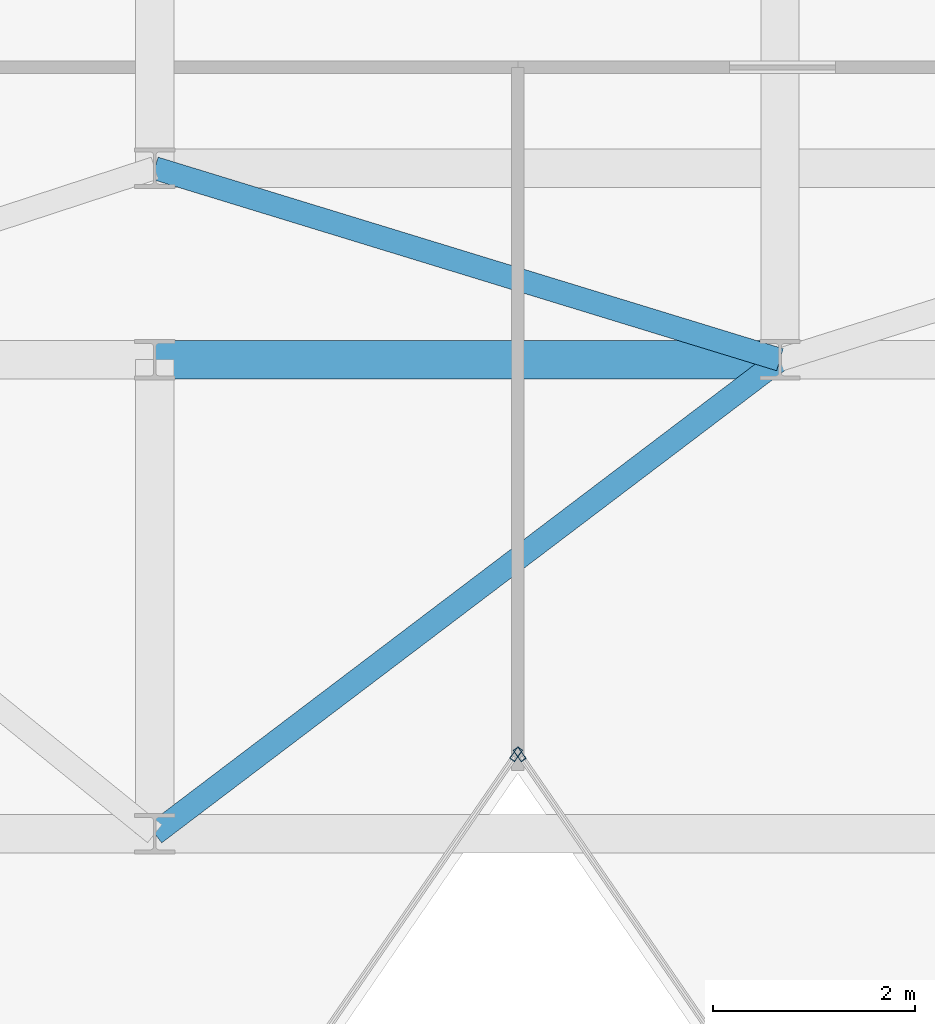
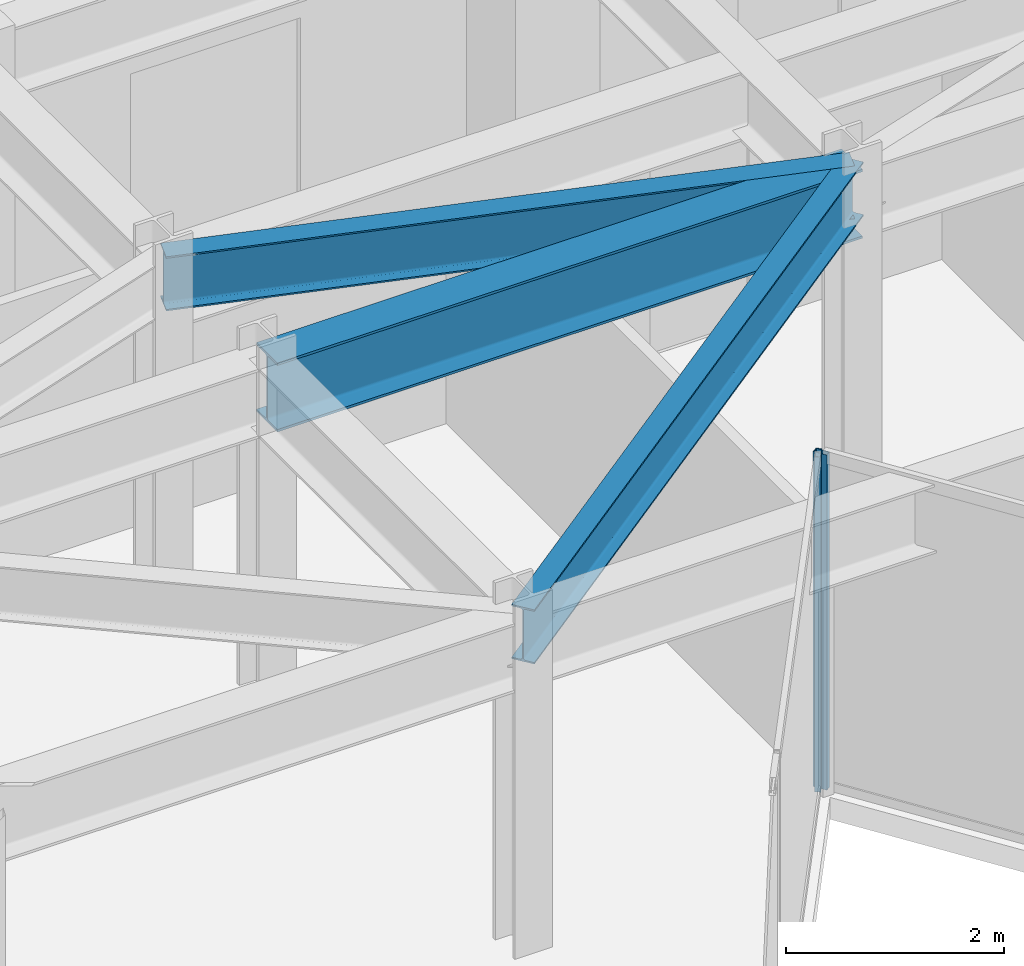
# One storey, part 8 of 21: 3 beams, 2 members, 2 elements without a shape of their own.
"""IFC4 building model written with IfcOpenShell, lengths in metres."""

import ifcopenshell
import ifcopenshell.guid

model = None  # the IFC model being written
_history = None  # IfcOwnerHistory: only IFC2X3 demands one
_inside = {}  # id of a spatial element -> (the spatial element, [elements in it])
_under = {}  # id of a project, library or spatial element -> (it, [spatial elements below it])
_declared = {}  # id of a project -> (the project, [libraries it declares])
_typed = {}  # id of a type object -> (the type object, [elements of that type])
_made_of = {}  # id of a material, layer set ... -> (it, [elements and type objects made of it])


def new_model(schema):
    """Start an empty IFC model of exactly this schema.

    Asked for "IFC4X3", IfcOpenShell would pick the latest addendum, in which some entities
    have other attributes; the version numbers below select the first issue.
    IFC2X3 requires an IfcOwnerHistory on every rooted entity: one is made here for all.
    """
    global model, _history
    if schema == "IFC4X3":
        model = ifcopenshell.file(schema_version=(4, 3, 0, 0))
    else:
        model = ifcopenshell.file(schema=schema)
    _inside.clear()
    _under.clear()
    _declared.clear()
    _typed.clear()
    _made_of.clear()
    _history = None
    if model.schema == "IFC2X3":
        org = make("IfcOrganization", Name="unknown")
        user = make(
            "IfcPersonAndOrganization",
            ThePerson=make("IfcPerson", FamilyName="unknown"),
            TheOrganization=org,
        )
        app = make(
            "IfcApplication",
            ApplicationDeveloper=org,
            Version="unknown",
            ApplicationFullName="unknown",
            ApplicationIdentifier="unknown",
        )
        _history = make(
            "IfcOwnerHistory",
            OwningUser=user,
            OwningApplication=app,
            ChangeAction="ADDED",
            CreationDate=0,
        )
    return model


def make(cls, **values):
    """One entity of the class cls with the attributes given. An attribute that is None is left unset."""
    return model.create_entity(
        cls, **{name: value for name, value in values.items() if value is not None}
    )


def rooted(cls, **values):
    """An entity with a GlobalId (a new one), such as an element, a storey or a relation."""
    return make(cls, GlobalId=ifcopenshell.guid.new(), OwnerHistory=_history, **values)


def si_unit(unit_type, name, prefix=None):
    """IfcSIUnit, for example si_unit("LENGTHUNIT", "METRE", prefix="MILLI")."""
    return make("IfcSIUnit", UnitType=unit_type, Prefix=prefix, Name=name)


def assignment(units):
    """IfcUnitAssignment: the units of a project."""
    return None if units is None else make("IfcUnitAssignment", Units=units)


def point(xyz):
    """IfcCartesianPoint."""
    return None if xyz is None else make("IfcCartesianPoint", Coordinates=xyz)


def direction(xyz):
    """IfcDirection."""
    return None if xyz is None else make("IfcDirection", DirectionRatios=xyz)


def frame(location, z_axis=None, x_axis=None):
    """IfcAxis2Placement3D, a coordinate frame: its origin and axes. An axis left out is left unset."""
    return make(
        "IfcAxis2Placement3D",
        Location=point(location),
        Axis=direction(z_axis),
        RefDirection=direction(x_axis),
    )


def frame_2d(location, x_axis=None):
    """IfcAxis2Placement2D, a coordinate frame in the plane: its origin and x axis."""
    return make(
        "IfcAxis2Placement2D", Location=point(location), RefDirection=direction(x_axis)
    )


def origin():
    """The frame at (0, 0, 0) with its axes left unset."""
    return frame((0.0, 0.0, 0.0))


def origin_2d():
    """The frame at (0, 0) in the plane with its x axis left unset."""
    return frame_2d((0.0, 0.0))


def place(relative_to, where):
    """IfcLocalPlacement: puts the frame where relative to a parent placement (None: the world)."""
    return make(
        "IfcLocalPlacement", PlacementRelTo=relative_to, RelativePlacement=where
    )


def context(
    kind, dimensions, precision=None, world=None, true_north=None, identifier=None
):
    """IfcGeometricRepresentationContext, for example the 3D "Model" context."""
    return make(
        "IfcGeometricRepresentationContext",
        ContextIdentifier=identifier,
        ContextType=kind,
        CoordinateSpaceDimension=dimensions,
        Precision=precision,
        WorldCoordinateSystem=world,
        TrueNorth=true_north,
    )


def subcontext(parent, identifier, kind, view, scale=None):
    """IfcGeometricRepresentationSubContext, for example "Body" below "Model"."""
    return make(
        "IfcGeometricRepresentationSubContext",
        ContextIdentifier=identifier,
        ContextType=kind,
        ParentContext=parent,
        TargetScale=scale,
        TargetView=view,
    )


def project(units=None, contexts=None):
    """IfcProject with its units and contexts."""
    return rooted(
        "IfcProject",
        Name="project",
        RepresentationContexts=contexts,
        UnitsInContext=assignment(units),
    )


def spatial(cls, under=None, at=None, **own):
    """A site, building, storey or space (cls), placed at a placement, below another one or the project."""
    s = rooted(cls, ObjectPlacement=at, **own)
    if under is not None:
        _under.setdefault(under.id(), (under, []))[1].append(s)
    return s


def profile(cls, at=None, kind="AREA", **sizes):
    """A parametric profile (cls). Its sizes go by their IFC names, for example OverallWidth=200.0."""
    return make(cls, ProfileType=kind, Position=at, **sizes)


def hollow_rectangle(**sizes):
    """IfcRectangleHollowProfileDef."""
    return profile("IfcRectangleHollowProfileDef", **sizes)


def i_section(**sizes):
    """IfcIShapeProfileDef."""
    return profile("IfcIShapeProfileDef", **sizes)


def extrude(swept, where, along, depth):
    """IfcExtrudedAreaSolid: the profile swept, set in the frame where, extruded along a direction by depth."""
    return make(
        "IfcExtrudedAreaSolid",
        SweptArea=swept,
        Position=where,
        ExtrudedDirection=direction(along),
        Depth=depth,
    )


def shape(context_of_items, identifier, shape_type, items):
    """IfcShapeRepresentation: the items that make up one representation, for example the "Body"."""
    return make(
        "IfcShapeRepresentation",
        ContextOfItems=context_of_items,
        RepresentationIdentifier=identifier,
        RepresentationType=shape_type,
        Items=items,
    )


def material(Name=None, Category=None):
    """IfcMaterial."""
    return make("IfcMaterial", Name=Name, Category=Category)


def layer(
    of_material, thickness, ventilated=None, Name=None, Category=None, Priority=None
):
    """IfcMaterialLayer: one layer of a wall or slab, of a material (None: an air gap)."""
    return make(
        "IfcMaterialLayer",
        Material=of_material,
        LayerThickness=thickness,
        IsVentilated=ventilated,
        Name=Name,
        Category=Category,
        Priority=Priority,
    )


def layer_set(layers, Name=None):
    """IfcMaterialLayerSet."""
    return make("IfcMaterialLayerSet", MaterialLayers=layers, LayerSetName=Name)


def material_profile(
    of_material, cross_section, Name=None, Category=None, Priority=None
):
    """IfcMaterialProfile: a cross section and its material."""
    return make(
        "IfcMaterialProfile",
        Name=Name,
        Material=of_material,
        Profile=cross_section,
        Priority=Priority,
        Category=Category,
    )


def profile_set(profiles, Name=None, composite=None):
    """IfcMaterialProfileSet."""
    return make(
        "IfcMaterialProfileSet",
        Name=Name,
        MaterialProfiles=profiles,
        CompositeProfile=composite,
    )


def made_of(thing, what):
    """Note that an element or type object is made of a material, layer set ...; save() writes the relation."""
    if what is not None:
        _made_of.setdefault(what.id(), (what, []))[1].append(thing)
    return thing


def type_object(cls, material=None, **own):
    """A type object (cls), such as IfcWallType, which elements share."""
    return made_of(rooted(cls, **own), material)


def element(
    cls,
    number,
    at=None,
    inside=None,
    cuts=None,
    type_object=None,
    material=None,
    context=None,
    identifier="Body",
    shape_type=None,
    held_by="IfcProductDefinitionShape",
    body=None,
    shapes=None,
    **own,
):
    """One element of the class cls, such as IfcWall. Its Tag is "e" and its number.

    at: its placement. inside: the storey or other place that contains it. cuts: it is an
    opening in that element (IfcRelVoidsElement). A single representation is given by context,
    identifier, shape_type and body (its items); several are given by shapes. held_by: the class
    of the entity that holds the representations. save() writes the other relations.
    """
    e = rooted(cls, Tag="e%d" % number, ObjectPlacement=at, **own)
    if body is not None:
        shapes = [shape(context, identifier, shape_type, body)]
    if shapes is not None:
        e.Representation = make(held_by, Representations=shapes)
    if inside is not None:
        _inside.setdefault(inside.id(), (inside, []))[1].append(e)
    if cuts is not None:
        rooted(
            "IfcRelVoidsElement", RelatingBuildingElement=cuts, RelatedOpeningElement=e
        )
    if type_object is not None:
        _typed.setdefault(type_object.id(), (type_object, []))[1].append(e)
    return made_of(e, material)


def aggregate(whole, parts):
    """IfcRelAggregates: a whole, such as a stair, and the parts it consists of."""
    return rooted("IfcRelAggregates", RelatingObject=whole, RelatedObjects=parts)


def save(model, path):
    """Write the relations noted so far, then the file.

    IfcRelAggregates (storeys below a building ...), IfcRelContainedInSpatialStructure (elements
    in a storey), IfcRelDefinesByType, IfcRelAssociatesMaterial and IfcRelDeclares: one each for
    every whole, place, type object, material and project.
    """
    for whole, parts in _under.values():
        aggregate(whole, parts)
    for where, things in _inside.values():
        rooted(
            "IfcRelContainedInSpatialStructure",
            RelatedElements=things,
            RelatingStructure=where,
        )
    for kind, things in _typed.values():
        rooted("IfcRelDefinesByType", RelatedObjects=things, RelatingType=kind)
    for what, things in _made_of.values():
        rooted("IfcRelAssociatesMaterial", RelatedObjects=things, RelatingMaterial=what)
    for by, libraries in _declared.values():
        rooted("IfcRelDeclares", RelatingContext=by, RelatedDefinitions=libraries)
    model.write(path)


model = new_model("IFC4")

# Units and contexts
model_context = context("Model", 3, precision=1e-05, world=origin(), true_north=direction((0.0, 1.0)))
body_context = subcontext(model_context, "Body", "Model", "MODEL_VIEW")
ifc_project = project(units=[si_unit("LENGTHUNIT", "METRE"), si_unit("AREAUNIT", "SQUARE_METRE"), si_unit("VOLUMEUNIT", "CUBIC_METRE"), si_unit("PLANEANGLEUNIT", "RADIAN"), si_unit("MASSUNIT", "GRAM", prefix="KILO")], contexts=[model_context])

# Site, building, storey
site_placement = place(None, origin())
site = spatial("IfcSite", under=ifc_project, at=site_placement, CompositionType="ELEMENT")
building_placement = place(site_placement, origin())
building = spatial("IfcBuilding", under=site, at=building_placement, Name="Kravanh Interchange Tower", CompositionType="ELEMENT")
storey_placement = place(building_placement, frame((0.0, 0.0, 200.5)))
storey = spatial("IfcBuildingStorey", under=building, at=storey_placement, Name="L48", CompositionType="ELEMENT", Elevation=200.5)

# Curtain wall, member
ifc_material_1 = material(Name="Anodised Bronze Aluminium", Category="aluminium")
ifc_layer = layer(ifc_material_1, 0.179931640625)
ifc_layer_set = layer_set([ifc_layer], Name="Unitised Curtain Wall System CW-Z3 Upper Office")
curtain_wall_type = type_object("IfcCurtainWallType", Name="Unitised Curtain Wall System CW-Z3 Upper Office", PredefinedType="NOTDEFINED", material=ifc_layer_set)
curtain_wall_1_placement = place(storey_placement, origin())
curtain_wall_1 = element("IfcCurtainWall", 1, at=curtain_wall_1_placement, inside=storey, type_object=curtain_wall_type, Name="L48 Unitised Curtain Wall CW-L48-03", PredefinedType="NOTDEFINED")
ifc_material_2 = material(Name="Anodised Bronze Aluminium", Category="aluminium")
ifc_material_profile_1 = material_profile(ifc_material_2, hollow_rectangle(XDim=0.06005859375, YDim=0.139892578125, WallThickness=0.00390625, at=origin_2d()), Name="ALU60X140X4")
ifc_profile_set_1 = profile_set([ifc_material_profile_1], Name="Anodised Bronze Aluminium")
member_type = type_object("IfcMemberType", Name="Curtain Wall Mullion ALU60X140X4 Bronze", PredefinedType="MULLION", material=ifc_profile_set_1)
member_1_placement = place(storey_placement, frame((42.217041015625, 27.587158203125, 0.0), z_axis=(0.0, 0.0, 1.0), x_axis=(-0.824042223035, -0.566528388217, 0.0)))
member_1 = element("IfcMember", 2, at=member_1_placement, type_object=member_type, Name="CW-Z3 mullion 5", PredefinedType="MULLION", context=body_context, shape_type="SweptSolid", body=[
    extrude(hollow_rectangle(XDim=0.06005859375, YDim=0.139892578125, WallThickness=0.00390625, at=origin_2d()), origin(), (0.0, 0.0, 1.0), 3.7548828125),
])
aggregate(curtain_wall_1, [member_1])

curtain_wall_2_placement = place(storey_placement, origin())
curtain_wall_2 = element("IfcCurtainWall", 3, at=curtain_wall_2_placement, inside=storey, type_object=curtain_wall_type, Name="L48 Unitised Curtain Wall CW-L48-04", PredefinedType="NOTDEFINED")
member_2_placement = place(storey_placement, frame((42.18310546875, 27.587158203125, 0.0), z_axis=(0.0, 0.0, 1.0), x_axis=(0.824042223035, -0.566528388217, 0.0)))
member_2 = element("IfcMember", 4, at=member_2_placement, type_object=member_type, Name="CW-Z3 mullion 1", PredefinedType="MULLION", context=body_context, shape_type="SweptSolid", body=[
    extrude(hollow_rectangle(XDim=0.06005859375, YDim=0.139892578125, WallThickness=0.00390625, at=origin_2d()), origin(), (0.0, 0.0, 1.0), 3.7548828125),
])
aggregate(curtain_wall_2, [member_2])

# Beams
ifc_material_3 = material(Name="Structural Steel S355", Category="steel")
ifc_material_profile_2 = material_profile(ifc_material_3, i_section(OverallWidth=0.381103515625, OverallDepth=0.77294921875, WebThickness=0.0166015625, FlangeThickness=0.027099609375, FilletRadius=0.02490234375, at=origin_2d()), Name="W30X173")
ifc_profile_set_2 = profile_set([ifc_material_profile_2], Name="Structural Steel S355")
beam_type_1 = type_object("IfcBeamType", Name="Floor Beam W30X173 Structural Steel S355", PredefinedType="BEAM", material=ifc_profile_set_2)
beam_1_placement = place(storey_placement, frame((38.60009765625, 31.5, 3.368408203125), z_axis=(1.0, 0.0, 0.0), x_axis=(0.0, 1.0, 0.0)))
element("IfcBeam", 5, at=beam_1_placement, inside=storey, type_object=beam_type_1, Name="L48 Primary Floor Girder 72", PredefinedType="BEAM", context=body_context, shape_type="SweptSolid", body=[
    extrude(i_section(OverallWidth=0.381103515625, OverallDepth=0.77294921875, WebThickness=0.0166015625, FlangeThickness=0.027099609375, FilletRadius=0.02490234375, at=origin_2d()), origin(), (0.0, 0.0, 1.0), 6.199951171875),
])
ifc_material_4 = material(Name="Structural Steel S355", Category="steel")
ifc_material_profile_3 = material_profile(ifc_material_4, i_section(OverallWidth=0.22802734375, OverallDepth=0.60791015625, WebThickness=0.01123046875, FlangeThickness=0.017333984375, FilletRadius=0.02197265625, at=origin_2d()), Name="W24X76")
ifc_profile_set_3 = profile_set([ifc_material_profile_3], Name="Structural Steel S355")
beam_type_2 = type_object("IfcBeamType", Name="Floor Spandrel W24X76 Structural Steel S355", PredefinedType="SPANDREL", material=ifc_profile_set_3)
beam_2_placement = place(storey_placement, frame((38.60009765625, 26.800048828125, 3.450927734375), z_axis=(0.796905365509, 0.604104161898, 0.0), x_axis=(-0.604104161898, 0.796905365509, 0.0)))
element("IfcBeam", 6, at=beam_2_placement, inside=storey, type_object=beam_type_2, Name="L48 Perimeter Spandrel 47", PredefinedType="SPANDREL", context=body_context, shape_type="SweptSolid", body=[
    extrude(i_section(OverallWidth=0.22802734375, OverallDepth=0.60791015625, WebThickness=0.01123046875, FlangeThickness=0.017333984375, FilletRadius=0.02197265625, at=origin_2d()), origin(), (0.0, 0.0, 1.0), 7.780029296875),
])
beam_3_placement = place(storey_placement, frame((44.800048828125, 31.5, 3.450927734375), z_axis=(-0.956115397264, 0.292990353279, 0.0), x_axis=(-0.292990353279, -0.956115397264, 0.0)))
element("IfcBeam", 7, at=beam_3_placement, inside=storey, type_object=beam_type_2, Name="L48 Perimeter Spandrel 76", PredefinedType="SPANDREL", context=body_context, shape_type="SweptSolid", body=[
    extrude(i_section(OverallWidth=0.22802734375, OverallDepth=0.60791015625, WebThickness=0.01123046875, FlangeThickness=0.017333984375, FilletRadius=0.02197265625, at=origin_2d()), origin(), (0.0, 0.0, 1.0), 6.484619140625),
])

save(model, "model.ifc")
